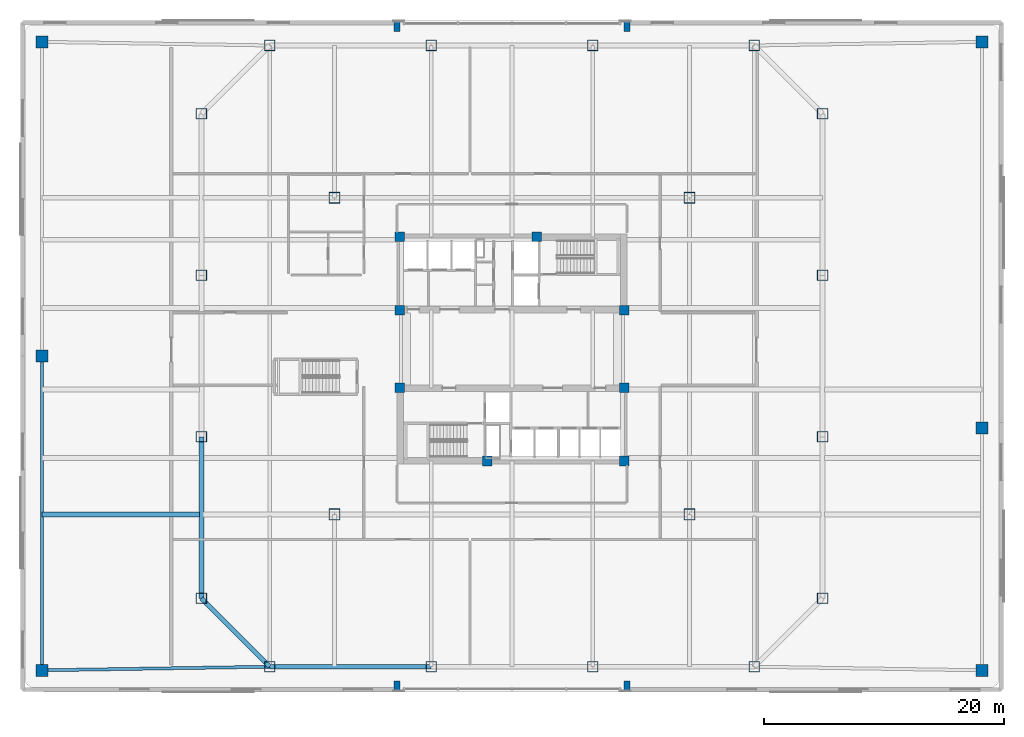
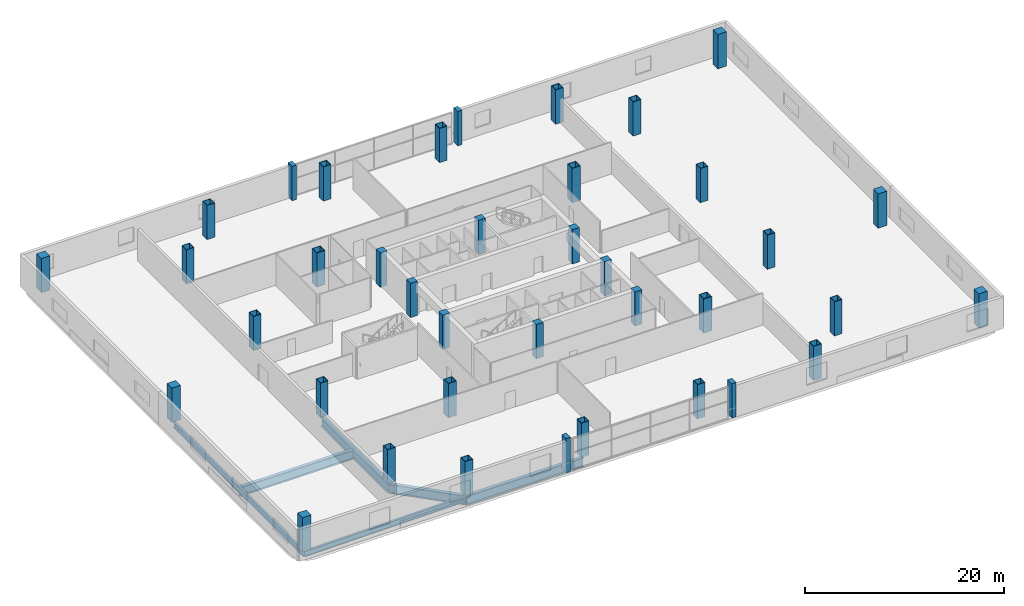
# One storey, part 1 of 21: 38 columns, 6 beams.
"""IFC4 building model written with IfcOpenShell, lengths in metres."""

from ifc_helpers import new_model, si_unit, direction, frame, origin, origin_2d, place, context, subcontext, project, spatial, rectangle, hollow_rectangle, i_section, extrude, material, material_profile, profile_set, type_object, element, save


model = new_model("IFC4")

# Units and contexts
model_context = context("Model", 3, precision=1e-05, world=origin(), true_north=direction((0.0, 1.0)))
body_context = subcontext(model_context, "Body", "Model", "MODEL_VIEW")
ifc_project = project(units=[si_unit("LENGTHUNIT", "METRE"), si_unit("AREAUNIT", "SQUARE_METRE"), si_unit("VOLUMEUNIT", "CUBIC_METRE"), si_unit("PLANEANGLEUNIT", "RADIAN"), si_unit("MASSUNIT", "GRAM", prefix="KILO")], contexts=[model_context])

# Site, building, storey
site_placement = place(None, origin())
site = spatial("IfcSite", under=ifc_project, at=site_placement, CompositionType="ELEMENT")
building_placement = place(site_placement, origin())
building = spatial("IfcBuilding", under=site, at=building_placement, Name="Qhalaya Broadcast Tower", CompositionType="ELEMENT")
storey_placement = place(building_placement, frame((0.0, 0.0, 5.10009765625)))
storey = spatial("IfcBuildingStorey", under=building, at=storey_placement, Name="L01", CompositionType="ELEMENT", Elevation=5.10009765625)

# Columns
ifc_material_1 = material(Name="Concrete C60/75", Category="concrete")
ifc_material_profile_1 = material_profile(ifc_material_1, rectangle(XDim=0.5, YDim=0.85009765625, at=origin_2d()), Name="RC-PIL 500x850")
ifc_profile_set_1 = profile_set([ifc_material_profile_1], Name="Concrete C60/75")
column_type_1 = type_object("IfcColumnType", Name="Concourse Portal Pilaster CP1", PredefinedType="PILASTER", material=ifc_profile_set_1)
for number, where, z_axis, x_axis, name in (
    (1, (-9.60009765625, -27.5, 0.0), (0.0, 0.0, 1.0), (1.0, 0.0, 0.0), "L01 Column PIL-PL1"),
    (2, (9.60009765625, -27.5, 0.0), (0.0, 0.0, 1.0), (1.0, 0.0, 0.0), "L01 Column PIL-PL2"),
    (3, (-9.60009765625, 27.5, 0.0), (0.0, 0.0, 1.0), (1.0, 0.0, 0.0), "L01 Column PIL-PL3"),
    (4, (9.60009765625, 27.5, 0.0), (0.0, 0.0, 1.0), (1.0, 0.0, 0.0), "L01 Column PIL-PL4"),
):
    element("IfcColumn", number, at=place(storey_placement, frame(where, z_axis=z_axis, x_axis=x_axis)), inside=storey, type_object=column_type_1, Name=name, PredefinedType="PILASTER", context=body_context, shape_type="SweptSolid", body=[
        extrude(rectangle(XDim=0.5, YDim=0.85009765625, at=origin_2d()), origin(), (0.0, 0.0, 1.0), 4.199951171875),
    ])
ifc_material_profile_2 = material_profile(ifc_material_1, rectangle(XDim=1.0, YDim=1.0, at=origin_2d()), Name="RC-COL 1000x1000")
ifc_profile_set_2 = profile_set([ifc_material_profile_2], Name="Concrete C60/75")
column_type_2 = type_object("IfcColumnType", Name="RC Podium Column C09", PredefinedType="COLUMN", material=ifc_profile_set_2)
for number, where, z_axis, x_axis, name in (
    (5, (-39.199951171875, 0.0, 0.0), (0.0, 0.0, 1.0), (1.0, 0.0, 0.0), "L01 Column COL-E1"),
    (6, (39.199951171875, -6.0, 0.0), (0.0, 0.0, 1.0), (1.0, 0.0, 0.0), "L01 Column COL-E2"),
    (7, (-39.199951171875, -26.199951171875, 0.0), (0.0, 0.0, 1.0), (1.0, 0.0, 0.0), "L01 Column COL-E3"),
    (8, (39.199951171875, -26.199951171875, 0.0), (0.0, 0.0, 1.0), (1.0, 0.0, 0.0), "L01 Column COL-E4"),
    (9, (-39.199951171875, 26.199951171875, 0.0), (0.0, 0.0, 1.0), (1.0, 0.0, 0.0), "L01 Column COL-E5"),
    (10, (39.199951171875, 26.199951171875, 0.0), (0.0, 0.0, 1.0), (1.0, 0.0, 0.0), "L01 Column COL-E6"),
):
    element("IfcColumn", number, at=place(storey_placement, frame(where, z_axis=z_axis, x_axis=x_axis)), inside=storey, type_object=column_type_2, Name=name, PredefinedType="COLUMN", context=body_context, shape_type="SweptSolid", body=[
        extrude(rectangle(XDim=1.0, YDim=1.0, at=origin_2d()), origin(), (0.0, 0.0, 1.0), 4.199951171875),
    ])
ifc_material_2 = material(Name="Concrete C50/60", Category="concrete")
ifc_material_profile_3 = material_profile(ifc_material_2, rectangle(XDim=0.800048828125, YDim=0.800048828125, at=origin_2d()), Name="RC-COL 800x800")
ifc_profile_set_3 = profile_set([ifc_material_profile_3], Name="Concrete C50/60")
column_type_3 = type_object("IfcColumnType", Name="RC Upper Column C10", PredefinedType="COLUMN", material=ifc_profile_set_3)
for number, where, z_axis, x_axis, name in (
    (11, (-9.375, 9.949951171875, 0.0), (0.0, 0.0, 1.0), (1.0, 0.0, 0.0), "L01 Column COL-CC1"),
    (12, (2.050048828125, 9.949951171875, 0.0), (0.0, 0.0, 1.0), (1.0, 0.0, 0.0), "L01 Column COL-CC2"),
    (13, (-9.375, 3.824951171875, 0.0), (0.0, 0.0, 1.0), (1.0, 0.0, 0.0), "L01 Column COL-CC3"),
    (14, (9.375, 3.824951171875, 0.0), (0.0, 0.0, 1.0), (1.0, 0.0, 0.0), "L01 Column COL-CC4"),
    (15, (-9.375, -2.625, 0.0), (0.0, 0.0, 1.0), (1.0, 0.0, 0.0), "L01 Column COL-CC5"),
    (16, (9.375, -2.625, 0.0), (0.0, 0.0, 1.0), (1.0, 0.0, 0.0), "L01 Column COL-CC6"),
    (17, (-2.050048828125, -8.75, 0.0), (0.0, 0.0, 1.0), (1.0, 0.0, 0.0), "L01 Column COL-CC7"),
    (18, (9.375, -8.75, 0.0), (0.0, 0.0, 1.0), (1.0, 0.0, 0.0), "L01 Column COL-CC8"),
):
    element("IfcColumn", number, at=place(storey_placement, frame(where, z_axis=z_axis, x_axis=x_axis)), inside=storey, type_object=column_type_3, Name=name, PredefinedType="COLUMN", context=body_context, shape_type="SweptSolid", body=[
        extrude(rectangle(XDim=0.800048828125, YDim=0.800048828125, at=origin_2d()), origin(), (0.0, 0.0, 1.0), 4.199951171875),
    ])
ifc_material_3 = material(Name="Structural Steel ASTM A572 Grade 50", Category="steel")
ifc_material_profile_4 = material_profile(ifc_material_3, hollow_rectangle(XDim=0.949951171875, YDim=0.949951171875, WallThickness=0.06005859375, at=origin_2d()), Name="BOX 950x950x60")
ifc_profile_set_4 = profile_set([ifc_material_profile_4], Name="Structural Steel ASTM A572 Grade 50")
column_type_4 = type_object("IfcColumnType", Name="Steel Box Column C01", PredefinedType="COLUMN", material=ifc_profile_set_4)
for number, where, z_axis, x_axis, name in (
    (19, (-14.800048828125, -13.199951171875, 0.0), (0.0, 0.0, 1.0), (1.0, 0.0, 0.0), "L01 Column COL-GR1"),
    (20, (14.800048828125, -13.199951171875, 0.0), (0.0, 0.0, 1.0), (1.0, 0.0, 0.0), "L01 Column COL-GR2"),
    (21, (-14.800048828125, 13.199951171875, 0.0), (0.0, 0.0, 1.0), (1.0, 0.0, 0.0), "L01 Column COL-GR3"),
    (22, (14.800048828125, 13.199951171875, 0.0), (0.0, 0.0, 1.0), (1.0, 0.0, 0.0), "L01 Column COL-GR4"),
):
    element("IfcColumn", number, at=place(storey_placement, frame(where, z_axis=z_axis, x_axis=x_axis)), inside=storey, type_object=column_type_4, Name=name, PredefinedType="COLUMN", context=body_context, shape_type="SweptSolid", body=[
        extrude(hollow_rectangle(XDim=0.949951171875, YDim=0.949951171875, WallThickness=0.06005859375, at=origin_2d()), origin(), (0.0, 0.0, 1.0), 4.199951171875),
    ])
ifc_material_profile_5 = material_profile(ifc_material_3, hollow_rectangle(XDim=0.89990234375, YDim=0.89990234375, WallThickness=0.054931640625, at=origin_2d()), Name="BOX 900x900x55")
ifc_profile_set_5 = profile_set([ifc_material_profile_5], Name="Structural Steel ASTM A572 Grade 50")
column_type_5 = type_object("IfcColumnType", Name="Steel Box Column C02", PredefinedType="COLUMN", material=ifc_profile_set_5)
for number, where, z_axis, x_axis, name in (
    (23, (-20.199951171875, -25.89990234375, 0.0), (0.0, 0.0, 1.0), (1.0, 0.0, 0.0), "L01 Column COL-B1P01"),
    (24, (-6.7333984375, -25.89990234375, 0.0), (0.0, 0.0, 1.0), (1.0, 0.0, 0.0), "L01 Column COL-B1P02"),
    (25, (6.7333984375, -25.89990234375, 0.0), (0.0, 0.0, 1.0), (1.0, 0.0, 0.0), "L01 Column COL-B1P03"),
    (26, (20.199951171875, -25.89990234375, 0.0), (0.0, 0.0, 1.0), (1.0, 0.0, 0.0), "L01 Column COL-B1P04"),
    (27, (25.89990234375, -20.199951171875, 0.0), (0.0, 0.0, 1.0), (0.0, 1.0, 0.0), "L01 Column COL-B1P05"),
    (28, (25.89990234375, -6.7333984375, 0.0), (0.0, 0.0, 1.0), (0.0, 1.0, 0.0), "L01 Column COL-B1P06"),
    (29, (25.89990234375, 6.7333984375, 0.0), (0.0, 0.0, 1.0), (0.0, 1.0, 0.0), "L01 Column COL-B1P07"),
    (30, (25.89990234375, 20.199951171875, 0.0), (0.0, 0.0, 1.0), (0.0, 1.0, 0.0), "L01 Column COL-B1P08"),
    (31, (20.199951171875, 25.89990234375, 0.0), (0.0, 0.0, 1.0), (1.0, 0.0, 0.0), "L01 Column COL-B1P09"),
    (32, (6.7333984375, 25.89990234375, 0.0), (0.0, 0.0, 1.0), (1.0, 0.0, 0.0), "L01 Column COL-B1P10"),
    (33, (-6.7333984375, 25.89990234375, 0.0), (0.0, 0.0, 1.0), (1.0, 0.0, 0.0), "L01 Column COL-B1P11"),
    (34, (-20.199951171875, 25.89990234375, 0.0), (0.0, 0.0, 1.0), (1.0, 0.0, 0.0), "L01 Column COL-B1P12"),
    (35, (-25.89990234375, 20.199951171875, 0.0), (0.0, 0.0, 1.0), (0.0, 1.0, 0.0), "L01 Column COL-B1P13"),
    (36, (-25.89990234375, 6.7333984375, 0.0), (0.0, 0.0, 1.0), (0.0, 1.0, 0.0), "L01 Column COL-B1P14"),
    (37, (-25.89990234375, -6.7333984375, 0.0), (0.0, 0.0, 1.0), (0.0, 1.0, 0.0), "L01 Column COL-B1P15"),
    (38, (-25.89990234375, -20.199951171875, 0.0), (0.0, 0.0, 1.0), (0.0, 1.0, 0.0), "L01 Column COL-B1P16"),
):
    element("IfcColumn", number, at=place(storey_placement, frame(where, z_axis=z_axis, x_axis=x_axis)), inside=storey, type_object=column_type_5, Name=name, PredefinedType="COLUMN", context=body_context, shape_type="SweptSolid", body=[
        extrude(hollow_rectangle(XDim=0.89990234375, YDim=0.89990234375, WallThickness=0.054931640625, at=origin_2d()), origin(), (0.0, 0.0, 1.0), 4.199951171875),
    ])

# Beams
ifc_material_4 = material(Name="Structural Steel ASTM A992 Grade 50", Category="steel")
ifc_material_profile_6 = material_profile(ifc_material_4, i_section(OverallWidth=0.25390625, OverallDepth=0.68310546875, WebThickness=0.012451171875, FlangeThickness=0.01904296875, at=origin_2d()), Name="W27X94")
ifc_profile_set_6 = profile_set([ifc_material_profile_6], Name="Structural Steel ASTM A992 Grade 50")
beam_type_1 = type_object("IfcBeamType", Name="Perimeter Ring Spandrel Beam SP1", PredefinedType="SPANDREL", material=ifc_profile_set_6)
beam_1_placement = place(storey_placement, frame((-39.199951171875, -26.199951171875, -0.66162109375), z_axis=(0.999875328998, 0.015790074776, 0.0), x_axis=(-0.015790074776, 0.999875328998, 0.0)))
element("IfcBeam", 39, at=beam_1_placement, inside=storey, type_object=beam_type_1, Name="L01 SP1 L01-SP-S1", PredefinedType="SPANDREL", context=body_context, shape_type="SweptSolid", body=[
    extrude(i_section(OverallWidth=0.25390625, OverallDepth=0.68310546875, WebThickness=0.012451171875, FlangeThickness=0.01904296875, at=origin_2d()), origin(), (0.0, 0.0, 1.0), 19.00244140625),
])
beam_2_placement = place(storey_placement, frame((-39.199951171875, -26.199951171875, -0.66162109375), z_axis=(0.0, 1.0, 0.0), x_axis=(-1.0, 0.0, 0.0)))
element("IfcBeam", 40, at=beam_2_placement, inside=storey, type_object=beam_type_1, Name="L01 SP1 L01-SP-W1", PredefinedType="SPANDREL", context=body_context, shape_type="SweptSolid", body=[
    extrude(i_section(OverallWidth=0.25390625, OverallDepth=0.68310546875, WebThickness=0.012451171875, FlangeThickness=0.01904296875, at=origin_2d()), origin(), (0.0, 0.0, 1.0), 26.199951171875),
])
ifc_material_profile_7 = material_profile(ifc_material_4, i_section(OverallWidth=0.404052734375, OverallDepth=1.117919921875, WebThickness=0.026123046875, FlangeThickness=0.044921875, at=origin_2d()), Name="W44X335")
ifc_profile_set_7 = profile_set([ifc_material_profile_7], Name="Structural Steel ASTM A992 Grade 50")
beam_type_2 = type_object("IfcBeamType", Name="Podium Long-Span Primary Girder PG1", PredefinedType="USERDEFINED", material=ifc_profile_set_7)
for number, where, z_axis, x_axis, name in (
    (41, (-20.199951171875, -25.89990234375, -0.879150390625), (1.0, 0.0, 0.0), (0.0, 1.0, 0.0), "L01 PG1 L01-PG-R01"),
    (42, (-25.89990234375, -6.7333984375, -0.879150390625), (0.0, -1.0, 0.0), (1.0, 0.0, 0.0), "L01 PG1 L01-PG-R15"),
):
    element("IfcBeam", number, at=place(storey_placement, frame(where, z_axis=z_axis, x_axis=x_axis)), inside=storey, type_object=beam_type_2, Name=name, ObjectType="GIRDER", PredefinedType="USERDEFINED", context=body_context, shape_type="SweptSolid", body=[
        extrude(i_section(OverallWidth=0.404052734375, OverallDepth=1.117919921875, WebThickness=0.026123046875, FlangeThickness=0.044921875, at=origin_2d()), origin(), (0.0, 0.0, 1.0), 13.466552734375),
    ])
beam_3_placement = place(storey_placement, frame((-25.89990234375, -20.199951171875, -0.879150390625), z_axis=(0.707106781187, -0.707106781187, 0.0), x_axis=(0.707106781187, 0.707106781187, 0.0)))
element("IfcBeam", 43, at=beam_3_placement, inside=storey, type_object=beam_type_2, Name="L01 PG1 L01-PG-R16", ObjectType="GIRDER", PredefinedType="USERDEFINED", context=body_context, shape_type="SweptSolid", body=[
    extrude(i_section(OverallWidth=0.404052734375, OverallDepth=1.117919921875, WebThickness=0.026123046875, FlangeThickness=0.044921875, at=origin_2d()), origin(), (0.0, 0.0, 1.0), 8.06103515625),
])
beam_4_placement = place(storey_placement, frame((-39.199951171875, -13.199951171875, -0.879150390625), z_axis=(1.0, 0.0, 0.0), x_axis=(0.0, 1.0, 0.0)))
element("IfcBeam", 44, at=beam_4_placement, inside=storey, type_object=beam_type_2, Name="L01 PG1 L01-PG-GS1", ObjectType="GIRDER", PredefinedType="USERDEFINED", context=body_context, shape_type="SweptSolid", body=[
    extrude(i_section(OverallWidth=0.404052734375, OverallDepth=1.117919921875, WebThickness=0.026123046875, FlangeThickness=0.044921875, at=origin_2d()), origin(), (0.0, 0.0, 1.0), 13.159912109375),
])

save(model, "model.ifc")
